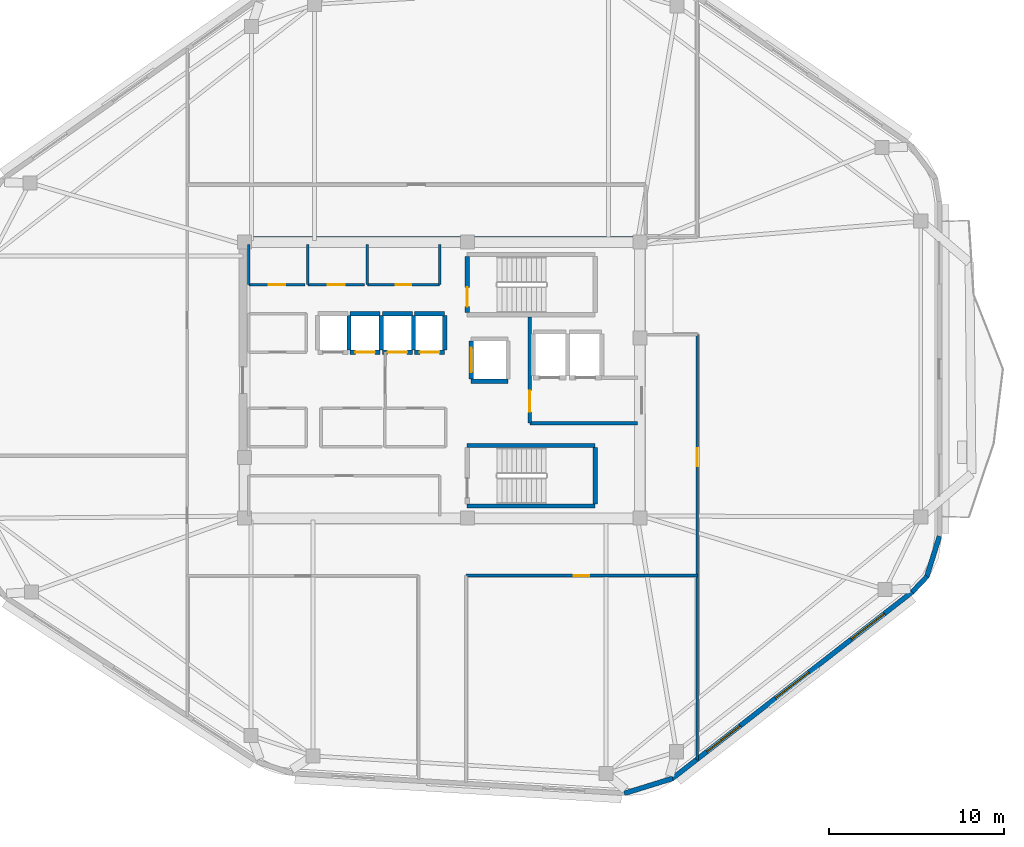
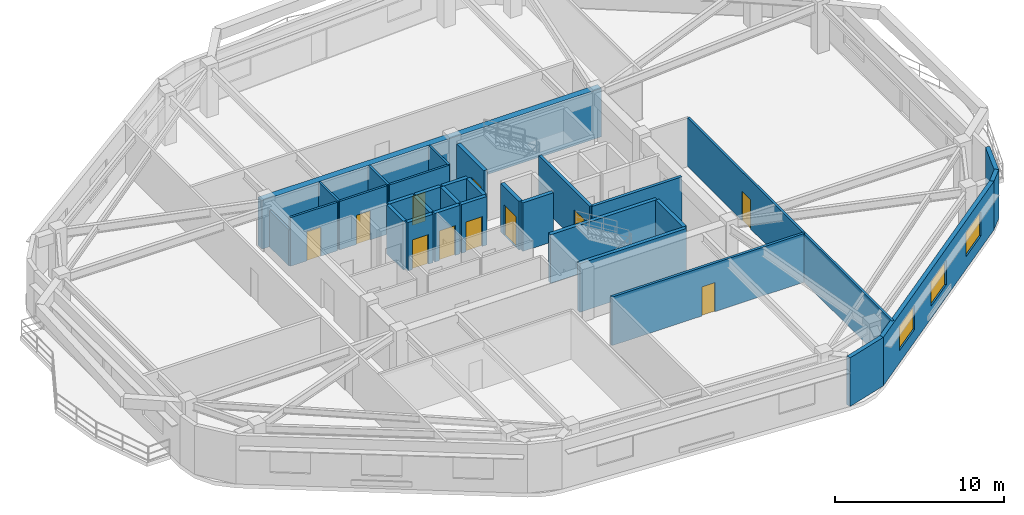
# One storey, part 4 of 9: 32 walls, 11 doors, 3 windows, 14 openings.
"""IFC4 building model written with IfcOpenShell, lengths in metres."""

from ifc_helpers import new_model, si_unit, direction, frame, frame_2d, origin, place, context, subcontext, project, spatial, rectangle, extrude, material, layer, layer_set, type_object, element, fill, save


model = new_model("IFC4")

# Units and contexts
model_context = context("Model", 3, precision=1e-05, world=origin(), true_north=direction((0.0, 1.0)))
body_context = subcontext(model_context, "Body", "Model", "MODEL_VIEW")
ifc_project = project(units=[si_unit("LENGTHUNIT", "METRE"), si_unit("AREAUNIT", "SQUARE_METRE"), si_unit("VOLUMEUNIT", "CUBIC_METRE"), si_unit("PLANEANGLEUNIT", "RADIAN"), si_unit("MASSUNIT", "GRAM", prefix="KILO")], contexts=[model_context])

# Site, building, storey
site_placement = place(None, origin())
site = spatial("IfcSite", under=ifc_project, at=site_placement, CompositionType="ELEMENT")
building_placement = place(site_placement, origin())
building = spatial("IfcBuilding", under=site, at=building_placement, Name="Zulverin Broadcast Headquarters", CompositionType="ELEMENT")
storey_placement = place(building_placement, frame((0.0, 0.0, 244.0)))
storey = spatial("IfcBuildingStorey", under=building, at=storey_placement, Name="L62", CompositionType="ELEMENT", Elevation=244.0)

# Wall
ifc_material_1 = material(Name="Concrete C50/60", Category="concrete")
ifc_layer_1 = layer(ifc_material_1, 0.449951171875, Name="Concrete C50/60", Category="concrete")
ifc_layer_set_1 = layer_set([ifc_layer_1], Name="Concrete C50/60")
wall_type_1 = type_object("IfcWallType", Name="WL-CORE-450", PredefinedType="SHEAR", material=ifc_layer_set_1)
wall_1_placement = place(storey_placement, frame((25.39990234375, 33.175048828125, 0.0), z_axis=(0.0, 0.0, 1.0), x_axis=(1.0, 0.0, 0.0)))
element("IfcWall", 1, at=wall_1_placement, inside=storey, type_object=wall_type_1, Name="L62 Core North Shear Wall", PredefinedType="SHEAR", context=body_context, shape_type="SweptSolid", body=[
    extrude(rectangle(XDim=23.2001953125, YDim=0.449951171875, at=frame_2d((11.60009765625, 0.0))), origin(), (0.0, 0.0, 1.0), 3.510009765625),
])

# Wall, openings, windows
ifc_material_2 = material(Name="Insulated pale-metal clad concrete spandrel C40/50", Category="concrete")
ifc_layer_2 = layer(ifc_material_2, 0.280029296875, Name="Insulated pale-metal clad concrete spandrel C40/50", Category="concrete")
ifc_layer_set_2 = layer_set([ifc_layer_2], Name="Insulated pale-metal clad concrete spandrel C40/50")
wall_type_2 = type_object("IfcWallType", Name="WL-EXT-280", PredefinedType="STANDARD", material=ifc_layer_set_2)
wall_2_placement = place(storey_placement, frame((50.10400390625, 2.458984375, 0.0), z_axis=(0.0, 0.0, 1.0), x_axis=(0.789464857485, 0.613795763097, 0.0)))
wall_2 = element("IfcWall", 2, at=wall_2_placement, inside=storey, type_object=wall_type_2, Name="L62 Pale-Metal Clad Spandrel Wall 2", PredefinedType="STANDARD", context=body_context, shape_type="SweptSolid", body=[
    extrude(rectangle(XDim=17.387451171875, YDim=0.280029296875, at=frame_2d((8.69384765625, 0.0))), origin(), (0.0, 0.0, 1.0), 3.510009765625),
])
opening_1_placement = place(wall_2_placement, frame((2.53125, 0.0, 0.89990234375)))
opening_1 = element("IfcOpeningElement", 3, at=opening_1_placement, cuts=wall_2, Name="Opening W-L62-E21", PredefinedType="OPENING", context=body_context, shape_type="SweptSolid", body=[
    extrude(rectangle(XDim=2.39990234375, YDim=1.75, at=frame_2d((1.199951171875, 0.875))), frame((0.0, 0.14990234375, 0.0), z_axis=(0.0, -1.0, 0.0), x_axis=(1.0, 0.0, 0.0)), (0.0, 0.0, 1.0), 0.300048828125),
])
opening_2_placement = place(wall_2_placement, frame((7.49365234375, 0.0, 0.89990234375)))
opening_2 = element("IfcOpeningElement", 4, at=opening_2_placement, cuts=wall_2, Name="Opening W-L62-E22", PredefinedType="OPENING", context=body_context, shape_type="SweptSolid", body=[
    extrude(rectangle(XDim=2.39990234375, YDim=1.75, at=frame_2d((1.199951171875, 0.875))), frame((0.0, 0.14990234375, 0.0), z_axis=(0.0, -1.0, 0.0), x_axis=(1.0, 0.0, 0.0)), (0.0, 0.0, 1.0), 0.300048828125),
])
opening_3_placement = place(wall_2_placement, frame((12.956298828125, 0.0, 0.89990234375)))
opening_3 = element("IfcOpeningElement", 5, at=opening_3_placement, cuts=wall_2, Name="Opening W-L62-E23", PredefinedType="OPENING", context=body_context, shape_type="SweptSolid", body=[
    extrude(rectangle(XDim=2.39990234375, YDim=1.75, at=frame_2d((1.199951171875, 0.875))), frame((0.0, 0.14990234375, 0.0), z_axis=(0.0, -1.0, 0.0), x_axis=(1.0, 0.0, 0.0)), (0.0, 0.0, 1.0), 0.300048828125),
])
ifc_material_3 = material(Name="Pale anodized aluminium frame with solar-control low-E double glazing", Category="aluminium")
window_type = type_object("IfcWindowType", Name="WIN-RIB-2400", PartitioningType="SINGLE_PANEL", PredefinedType="WINDOW", material=ifc_material_3)
window_1_placement = place(opening_1_placement, origin())
window_1 = element("IfcWindow", 6, at=window_1_placement, inside=storey, type_object=window_type, Name="L62 Ribbon Glazing Window 2 1", OverallHeight=1.75, OverallWidth=2.39990234375, PartitioningType="SINGLE_PANEL", PredefinedType="WINDOW", context=body_context, shape_type="SweptSolid", body=[
    extrude(rectangle(XDim=2.39990234375, YDim=1.75, at=frame_2d((1.199951171875, 0.875))), frame((0.0, 0.030029296875, 0.0), z_axis=(0.0, -1.0, 0.0), x_axis=(1.0, 0.0, 0.0)), (0.0, 0.0, 1.0), 0.06005859375),
])
fill(opening_1, window_1)
window_2_placement = place(opening_2_placement, origin())
window_2 = element("IfcWindow", 7, at=window_2_placement, inside=storey, type_object=window_type, Name="L62 Ribbon Glazing Window 2 2", OverallHeight=1.75, OverallWidth=2.39990234375, PartitioningType="SINGLE_PANEL", PredefinedType="WINDOW", context=body_context, shape_type="SweptSolid", body=[
    extrude(rectangle(XDim=2.39990234375, YDim=1.75, at=frame_2d((1.199951171875, 0.875))), frame((0.0, 0.030029296875, 0.0), z_axis=(0.0, -1.0, 0.0), x_axis=(1.0, 0.0, 0.0)), (0.0, 0.0, 1.0), 0.06005859375),
])
fill(opening_2, window_2)
window_3_placement = place(opening_3_placement, origin())
window_3 = element("IfcWindow", 8, at=window_3_placement, inside=storey, type_object=window_type, Name="L62 Ribbon Glazing Window 2 3", OverallHeight=1.75, OverallWidth=2.39990234375, PartitioningType="SINGLE_PANEL", PredefinedType="WINDOW", context=body_context, shape_type="SweptSolid", body=[
    extrude(rectangle(XDim=2.39990234375, YDim=1.75, at=frame_2d((1.199951171875, 0.875))), frame((0.0, 0.030029296875, 0.0), z_axis=(0.0, -1.0, 0.0), x_axis=(1.0, 0.0, 0.0)), (0.0, 0.0, 1.0), 0.06005859375),
])
fill(opening_3, window_3)

# Walls
wall_3_placement = place(storey_placement, frame((47.38623046875, 1.626220703125, 0.0), z_axis=(0.0, 0.0, 1.0), x_axis=(0.955189316149, 0.29599555793, 0.0)))
element("IfcWall", 9, at=wall_3_placement, inside=storey, type_object=wall_type_2, Name="L62 Wind-Shaped Corner Spandrel Wall 1-1", PredefinedType="STANDARD", context=body_context, shape_type="SweptSolid", body=[
    extrude(rectangle(XDim=2.891845703125, YDim=0.280029296875, at=frame_2d((1.44580078125, 0.0))), origin(), (0.0, 0.0, 1.0), 3.510009765625),
])
wall_4_placement = place(storey_placement, frame((63.81494140625, 13.1171875, 0.0), z_axis=(0.0, 0.0, 1.0), x_axis=(0.687733716128, 0.725963040176, 0.0)))
element("IfcWall", 10, at=wall_4_placement, inside=storey, type_object=wall_type_2, Name="L62 Wind-Shaped Corner Spandrel Wall 2-1", PredefinedType="STANDARD", context=body_context, shape_type="SweptSolid", body=[
    extrude(rectangle(XDim=1.239013671875, YDim=0.280029296875, at=frame_2d((0.61962890625, 0.0))), origin(), (0.0, 0.0, 1.0), 3.510009765625),
])
wall_5_placement = place(storey_placement, frame((64.635009765625, 13.962158203125, 0.0), z_axis=(0.0, 0.0, 1.0), x_axis=(0.298649578722, 0.954362839348, 0.0)))
element("IfcWall", 11, at=wall_5_placement, inside=storey, type_object=wall_type_2, Name="L62 Wind-Shaped Corner Spandrel Wall 2-2", PredefinedType="STANDARD", context=body_context, shape_type="SweptSolid", body=[
    extrude(rectangle(XDim=2.44921875, YDim=0.280029296875, at=frame_2d((1.224609375, 0.0))), origin(), (0.0, 0.0, 1.0), 3.510009765625),
])

# Wall, opening, door
ifc_material_4 = material(Name="Concrete C40/50", Category="concrete")
ifc_layer_3 = layer(ifc_material_4, 0.199951171875, Name="Concrete C40/50", Category="concrete")
ifc_layer_set_3 = layer_set([ifc_layer_3], Name="Concrete C40/50")
wall_type_3 = type_object("IfcWallType", Name="WL-FFL-200", PredefinedType="SOLIDWALL", material=ifc_layer_set_3)
wall_6_placement = place(storey_placement, frame((42.0, 22.75, 0.0), z_axis=(0.0, 0.0, 1.0), x_axis=(0.0, 1.0, 0.0)))
wall_6 = element("IfcWall", 12, at=wall_6_placement, inside=storey, type_object=wall_type_3, Name="L62 Firefighting Lift Lobby West Wall", PredefinedType="SOLIDWALL", context=body_context, shape_type="SweptSolid", body=[
    extrude(rectangle(XDim=6.050048828125, YDim=0.199951171875, at=frame_2d((3.02490234375, 0.0))), origin(), (0.0, 0.0, 1.0), 3.510009765625),
])
opening_4_placement = place(wall_6_placement, frame((0.64990234375, 0.0, 0.0)))
opening_4 = element("IfcOpeningElement", 13, at=opening_4_placement, cuts=wall_6, Name="Opening D-L62-FFLW", PredefinedType="OPENING", context=body_context, shape_type="SweptSolid", body=[
    extrude(rectangle(XDim=1.199951171875, YDim=2.14990234375, at=frame_2d((0.60009765625, 1.074951171875))), frame((0.0, 0.10986328125, 0.0), z_axis=(0.0, -1.0, 0.0), x_axis=(1.0, 0.0, 0.0)), (0.0, 0.0, 1.0), 0.219970703125),
])
ifc_material_5 = material(Name="Fire-rated steel leaf and frame", Category="steel")
door_type_1 = type_object("IfcDoorType", Name="DR-FFL-1200", OperationType="SINGLE_SWING_RIGHT", PredefinedType="DOOR", material=ifc_material_5)
door_1_placement = place(opening_4_placement, origin())
door_1 = element("IfcDoor", 14, at=door_1_placement, inside=storey, type_object=door_type_1, Name="L62 Firefighting Lift Lobby Door", OperationType="SINGLE_SWING_RIGHT", OverallHeight=2.14990234375, OverallWidth=1.199951171875, PredefinedType="DOOR", context=body_context, shape_type="SweptSolid", body=[
    extrude(rectangle(XDim=1.199951171875, YDim=2.14990234375, at=frame_2d((0.60009765625, 1.074951171875))), frame((0.0, 0.02490234375, 0.0), z_axis=(0.0, -1.0, 0.0), x_axis=(1.0, 0.0, 0.0)), (0.0, 0.0, 1.0), 0.050048828125),
])
fill(opening_4, door_1)

# Wall
wall_7_placement = place(storey_placement, frame((42.0, 22.75, 0.0), z_axis=(0.0, 0.0, 1.0), x_axis=(1.0, 0.0, 0.0)))
element("IfcWall", 15, at=wall_7_placement, inside=storey, type_object=wall_type_3, Name="L62 Firefighting Lift Lobby South Wall", PredefinedType="SOLIDWALL", context=body_context, shape_type="SweptSolid", body=[
    extrude(rectangle(XDim=6.14990234375, YDim=0.199951171875, at=frame_2d((3.074951171875, 0.0))), origin(), (0.0, 0.0, 1.0), 3.510009765625),
])

# Wall, opening, door
ifc_material_6 = material(Name="Fire-rated gypsum stud partition", Category="gypsum")
ifc_layer_4 = layer(ifc_material_6, 0.14990234375, Name="Fire-rated gypsum stud partition", Category="gypsum")
ifc_layer_set_4 = layer_set([ifc_layer_4], Name="Fire-rated gypsum stud partition")
wall_type_4 = type_object("IfcWallType", Name="WL-PART-150", PredefinedType="PARTITIONING", material=ifc_layer_set_4)
wall_8_placement = place(storey_placement, frame((25.969970703125, 30.64990234375, 0.0), z_axis=(0.0, 0.0, 1.0), x_axis=(1.0, 0.0, 0.0)))
wall_8 = element("IfcWall", 16, at=wall_8_placement, inside=storey, type_object=wall_type_4, Name="L62 Core Accessible WC Front Wall", PredefinedType="PARTITIONING", context=body_context, shape_type="SweptSolid", body=[
    extrude(rectangle(XDim=3.199951171875, YDim=0.14990234375, at=frame_2d((1.60009765625, 0.0))), origin(), (0.0, 0.0, 1.0), 3.510009765625),
])
opening_5_placement = place(wall_8_placement, frame((1.125, 0.0, 0.0)))
opening_5 = element("IfcOpeningElement", 17, at=opening_5_placement, cuts=wall_8, Name="Opening D-L62-NC1", PredefinedType="OPENING", context=body_context, shape_type="SweptSolid", body=[
    extrude(rectangle(XDim=0.949951171875, YDim=2.10009765625, at=frame_2d((0.47509765625, 1.050048828125))), frame((0.0, 0.0849609375, 0.0), z_axis=(0.0, -1.0, 0.0), x_axis=(1.0, 0.0, 0.0)), (0.0, 0.0, 1.0), 0.169921875),
])
ifc_material_7 = material(Name="Fire-rated moisture-resistant laminate leaf", Category="wood")
door_type_2 = type_object("IfcDoorType", Name="DR-WC-950", OperationType="SINGLE_SWING_LEFT", PredefinedType="DOOR", material=ifc_material_7)
door_2_placement = place(opening_5_placement, origin())
door_2 = element("IfcDoor", 18, at=door_2_placement, inside=storey, type_object=door_type_2, Name="L62 Accessible WC Door", OperationType="SINGLE_SWING_LEFT", OverallHeight=2.10009765625, OverallWidth=0.949951171875, PredefinedType="DOOR", context=body_context, shape_type="SweptSolid", body=[
    extrude(rectangle(XDim=0.949951171875, YDim=2.10009765625, at=frame_2d((0.47509765625, 1.050048828125))), frame((0.0, 0.02490234375, 0.0), z_axis=(0.0, -1.0, 0.0), x_axis=(1.0, 0.0, 0.0)), (0.0, 0.0, 1.0), 0.050048828125),
])
fill(opening_5, door_2)

# Wall
wall_9_placement = place(storey_placement, frame((25.969970703125, 30.64990234375, 0.0), z_axis=(0.0, 0.0, 1.0), x_axis=(0.0, 1.0, 0.0)))
element("IfcWall", 19, at=wall_9_placement, inside=storey, type_object=wall_type_4, Name="L62 Core Accessible WC West Wall", PredefinedType="PARTITIONING", context=body_context, shape_type="SweptSolid", body=[
    extrude(rectangle(XDim=2.300048828125, YDim=0.14990234375, at=frame_2d((1.14990234375, 0.0))), origin(), (0.0, 0.0, 1.0), 2.610107421875),
])

# Wall, opening, door
wall_10_placement = place(storey_placement, frame((29.330078125, 30.64990234375, 0.0), z_axis=(0.0, 0.0, 1.0), x_axis=(1.0, 0.0, 0.0)))
wall_10 = element("IfcWall", 20, at=wall_10_placement, inside=storey, type_object=wall_type_4, Name="L62 Core Male WC Front Wall", PredefinedType="PARTITIONING", context=body_context, shape_type="SweptSolid", body=[
    extrude(rectangle(XDim=3.239990234375, YDim=0.14990234375, at=frame_2d((1.6201171875, 0.0))), origin(), (0.0, 0.0, 1.0), 3.510009765625),
])
opening_6_placement = place(wall_10_placement, frame((1.14501953125, 0.0, 0.0)))
opening_6 = element("IfcOpeningElement", 21, at=opening_6_placement, cuts=wall_10, Name="Opening D-L62-NC2", PredefinedType="OPENING", context=body_context, shape_type="SweptSolid", body=[
    extrude(rectangle(XDim=0.949951171875, YDim=2.10009765625, at=frame_2d((0.47509765625, 1.050048828125))), frame((0.0, 0.0849609375, 0.0), z_axis=(0.0, -1.0, 0.0), x_axis=(1.0, 0.0, 0.0)), (0.0, 0.0, 1.0), 0.169921875),
])
door_3_placement = place(opening_6_placement, origin())
door_3 = element("IfcDoor", 22, at=door_3_placement, inside=storey, type_object=door_type_2, Name="L62 Male WC Door", OperationType="SINGLE_SWING_RIGHT", OverallHeight=2.10009765625, OverallWidth=0.949951171875, PredefinedType="DOOR", context=body_context, shape_type="SweptSolid", body=[
    extrude(rectangle(XDim=0.949951171875, YDim=2.10009765625, at=frame_2d((0.47509765625, 1.050048828125))), frame((0.0, 0.02490234375, 0.0), z_axis=(0.0, -1.0, 0.0), x_axis=(1.0, 0.0, 0.0)), (0.0, 0.0, 1.0), 0.050048828125),
])
fill(opening_6, door_3)

# Wall
wall_11_placement = place(storey_placement, frame((29.330078125, 30.64990234375, 0.0), z_axis=(0.0, 0.0, 1.0), x_axis=(0.0, 1.0, 0.0)))
element("IfcWall", 23, at=wall_11_placement, inside=storey, type_object=wall_type_4, Name="L62 Core Male WC West Wall", PredefinedType="PARTITIONING", context=body_context, shape_type="SweptSolid", body=[
    extrude(rectangle(XDim=2.300048828125, YDim=0.14990234375, at=frame_2d((1.14990234375, 0.0))), origin(), (0.0, 0.0, 1.0), 3.510009765625),
])

# Wall, opening, door
wall_12_placement = place(storey_placement, frame((32.72998046875, 30.64990234375, 0.0), z_axis=(0.0, 0.0, 1.0), x_axis=(1.0, 0.0, 0.0)))
wall_12 = element("IfcWall", 24, at=wall_12_placement, inside=storey, type_object=wall_type_4, Name="L62 Core Electrical Switch Riser Front Wall", PredefinedType="PARTITIONING", context=body_context, shape_type="SweptSolid", body=[
    extrude(rectangle(XDim=4.1201171875, YDim=0.14990234375, at=frame_2d((2.06005859375, 0.0))), origin(), (0.0, 0.0, 1.0), 3.510009765625),
])
opening_7_placement = place(wall_12_placement, frame((1.610107421875, 0.0, 0.0)))
opening_7 = element("IfcOpeningElement", 25, at=opening_7_placement, cuts=wall_12, Name="Opening D-L62-NC3", PredefinedType="OPENING", context=body_context, shape_type="SweptSolid", body=[
    extrude(rectangle(XDim=0.89990234375, YDim=2.10009765625, at=frame_2d((0.449951171875, 1.050048828125))), frame((0.0, 0.0849609375, 0.0), z_axis=(0.0, -1.0, 0.0), x_axis=(1.0, 0.0, 0.0)), (0.0, 0.0, 1.0), 0.169921875),
])
ifc_material_8 = material(Name="Powder-coated steel access leaf", Category="steel")
door_type_3 = type_object("IfcDoorType", Name="DR-RISER-900", OperationType="SINGLE_SWING_LEFT", PredefinedType="DOOR", material=ifc_material_8)
door_4_placement = place(opening_7_placement, origin())
door_4 = element("IfcDoor", 26, at=door_4_placement, inside=storey, type_object=door_type_3, Name="L62 Electrical Switch Riser Door", OperationType="SINGLE_SWING_LEFT", OverallHeight=2.10009765625, OverallWidth=0.89990234375, PredefinedType="DOOR", context=body_context, shape_type="SweptSolid", body=[
    extrude(rectangle(XDim=0.89990234375, YDim=2.10009765625, at=frame_2d((0.449951171875, 1.050048828125))), frame((0.0, 0.02490234375, 0.0), z_axis=(0.0, -1.0, 0.0), x_axis=(1.0, 0.0, 0.0)), (0.0, 0.0, 1.0), 0.050048828125),
])
fill(opening_7, door_4)

# Walls
for number, where, z_axis, x_axis, name in (
    (27, (32.72998046875, 30.64990234375, 0.0), (0.0, 0.0, 1.0), (0.0, 1.0, 0.0), "L62 Core Electrical Switch Riser West Wall"),
    (28, (36.85009765625, 30.64990234375, 0.0), (0.0, 0.0, 1.0), (0.0, 1.0, 0.0), "L62 Core Electrical Switch Riser East Wall"),
):
    element("IfcWall", number, at=place(storey_placement, frame(where, z_axis=z_axis, x_axis=x_axis)), inside=storey, type_object=wall_type_4, Name=name, PredefinedType="PARTITIONING", context=body_context, shape_type="SweptSolid", body=[
        extrude(rectangle(XDim=2.300048828125, YDim=0.14990234375, at=frame_2d((1.14990234375, 0.0))), origin(), (0.0, 0.0, 1.0), 3.510009765625),
    ])

# Wall, opening, door
wall_13_placement = place(storey_placement, frame((51.550048828125, 3.5458984375, 0.0), z_axis=(0.0, 0.0, 1.0), x_axis=(0.0, 1.0, 0.0)))
wall_13 = element("IfcWall", 29, at=wall_13_placement, inside=storey, type_object=wall_type_4, Name="L62 Gallery Partition Wall CG-01", PredefinedType="PARTITIONING", context=body_context, shape_type="SweptSolid", body=[
    extrude(rectangle(XDim=24.254150390625, YDim=0.14990234375, at=frame_2d((12.126953125, 0.0))), origin(), (0.0, 0.0, 1.0), 3.510009765625),
])
opening_8_placement = place(wall_13_placement, frame((16.759033203125, 0.0, 0.0)))
opening_8 = element("IfcOpeningElement", 30, at=opening_8_placement, cuts=wall_13, Name="Opening D-L62-06", PredefinedType="OPENING", context=body_context, shape_type="SweptSolid", body=[
    extrude(rectangle(XDim=1.0, YDim=2.1201171875, at=frame_2d((0.5, 1.06005859375))), frame((0.0, 0.0849609375, 0.0), z_axis=(0.0, -1.0, 0.0), x_axis=(1.0, 0.0, 0.0)), (0.0, 0.0, 1.0), 0.169921875),
])
ifc_material_9 = material(Name="Hardwood veneer acoustic leaf", Category="wood")
door_type_4 = type_object("IfcDoorType", Name="DR-OFF-1000", OperationType="SINGLE_SWING_LEFT", PredefinedType="DOOR", material=ifc_material_9)
door_5_placement = place(opening_8_placement, origin())
door_5 = element("IfcDoor", 31, at=door_5_placement, inside=storey, type_object=door_type_4, Name="L62 Global Broadcast Command Workplace Door", OperationType="SINGLE_SWING_LEFT", OverallHeight=2.1201171875, OverallWidth=1.0, PredefinedType="DOOR", context=body_context, shape_type="SweptSolid", body=[
    extrude(rectangle(XDim=1.0, YDim=2.1201171875, at=frame_2d((0.5, 1.06005859375))), frame((0.0, 0.02490234375, 0.0), z_axis=(0.0, -1.0, 0.0), x_axis=(1.0, 0.0, 0.0)), (0.0, 0.0, 1.0), 0.050048828125),
])
fill(opening_8, door_5)

ifc_material_10 = material(Name="Fire-rated acoustic stud wall", Category="gypsum")
ifc_layer_5 = layer(ifc_material_10, 0.175048828125, Name="Fire-rated acoustic stud wall", Category="gypsum")
ifc_layer_set_5 = layer_set([ifc_layer_5], Name="Fire-rated acoustic stud wall")
wall_type_5 = type_object("IfcWallType", Name="WL-PART-175", PredefinedType="PARTITIONING", material=ifc_layer_set_5)
wall_14_placement = place(storey_placement, frame((38.35009765625, 14.050048828125, 0.0), z_axis=(0.0, 0.0, 1.0), x_axis=(1.0, 0.0, 0.0)))
wall_14 = element("IfcWall", 32, at=wall_14_placement, inside=storey, type_object=wall_type_5, Name="L62 Gallery Partition Wall CG-08", PredefinedType="PARTITIONING", context=body_context, shape_type="SweptSolid", body=[
    extrude(rectangle(XDim=13.199951171875, YDim=0.175048828125, at=frame_2d((6.60009765625, 0.0))), origin(), (0.0, 0.0, 1.0), 3.510009765625),
])
opening_9_placement = place(wall_14_placement, frame((6.14990234375, 0.0, 0.0)))
opening_9 = element("IfcOpeningElement", 33, at=opening_9_placement, cuts=wall_14, Name="Opening D-L62-03", PredefinedType="OPENING", context=body_context, shape_type="SweptSolid", body=[
    extrude(rectangle(XDim=0.89990234375, YDim=2.10009765625, at=frame_2d((0.449951171875, 1.050048828125))), frame((0.0, 0.097412109375, 0.0), z_axis=(0.0, -1.0, 0.0), x_axis=(1.0, 0.0, 0.0)), (0.0, 0.0, 1.0), 0.195068359375),
])
ifc_material_11 = material(Name="Fire-rated hardwood veneer timber leaf", Category="wood")
door_type_5 = type_object("IfcDoorType", Name="DR-ROOM-900", OperationType="SINGLE_SWING_RIGHT", PredefinedType="DOOR", material=ifc_material_11)
door_6_placement = place(opening_9_placement, origin())
door_6 = element("IfcDoor", 34, at=door_6_placement, inside=storey, type_object=door_type_5, Name="L62 Diplomatic Conference Room Door", OperationType="SINGLE_SWING_RIGHT", OverallHeight=2.10009765625, OverallWidth=0.89990234375, PredefinedType="DOOR", context=body_context, shape_type="SweptSolid", body=[
    extrude(rectangle(XDim=0.89990234375, YDim=2.10009765625, at=frame_2d((0.449951171875, 1.050048828125))), frame((0.0, 0.02490234375, 0.0), z_axis=(0.0, -1.0, 0.0), x_axis=(1.0, 0.0, 0.0)), (0.0, 0.0, 1.0), 0.050048828125),
])
fill(opening_9, door_6)

ifc_layer_6 = layer(ifc_material_1, 0.25, Name="Concrete C50/60", Category="concrete")
ifc_layer_set_6 = layer_set([ifc_layer_6], Name="Concrete C50/60")
wall_type_6 = type_object("IfcWallType", Name="WL-SHAFT-250", PredefinedType="SHEAR", material=ifc_layer_set_6)
wall_15_placement = place(storey_placement, frame((38.425048828125, 29.050048828125, 0.0), z_axis=(0.0, 0.0, 1.0), x_axis=(0.0, 1.0, 0.0)))
wall_15 = element("IfcWall", 35, at=wall_15_placement, inside=storey, type_object=wall_type_6, Name="L62 ST-1 Enclosure Wall W", PredefinedType="SHEAR", context=body_context, shape_type="SweptSolid", body=[
    extrude(rectangle(XDim=3.199951171875, YDim=0.25, at=frame_2d((1.60009765625, 0.0))), origin(), (0.0, 0.0, 1.0), 3.510009765625),
])
opening_10_placement = place(wall_15_placement, frame((0.35009765625, 0.0, 0.0)))
opening_10 = element("IfcOpeningElement", 36, at=opening_10_placement, cuts=wall_15, Name="Opening D-L62-ST-1", PredefinedType="OPENING", context=body_context, shape_type="SweptSolid", body=[
    extrude(rectangle(XDim=1.10009765625, YDim=2.14990234375, at=frame_2d((0.550048828125, 1.074951171875))), frame((0.0, 0.135009765625, 0.0), z_axis=(0.0, -1.0, 0.0), x_axis=(1.0, 0.0, 0.0)), (0.0, 0.0, 1.0), 0.27001953125),
])
door_type_6 = type_object("IfcDoorType", Name="DR-STAIR-1100", OperationType="SINGLE_SWING_LEFT", PredefinedType="DOOR", material=ifc_material_5)
door_7_placement = place(opening_10_placement, origin())
door_7 = element("IfcDoor", 37, at=door_7_placement, inside=storey, type_object=door_type_6, Name="L62 Exit Stair ST-1 Fire Door", OperationType="SINGLE_SWING_LEFT", OverallHeight=2.14990234375, OverallWidth=1.10009765625, PredefinedType="DOOR", context=body_context, shape_type="SweptSolid", body=[
    extrude(rectangle(XDim=1.10009765625, YDim=2.14990234375, at=frame_2d((0.550048828125, 1.074951171875))), frame((0.0, 0.02490234375, 0.0), z_axis=(0.0, -1.0, 0.0), x_axis=(1.0, 0.0, 0.0)), (0.0, 0.0, 1.0), 0.050048828125),
])
fill(opening_10, door_7)

# Walls
for number, where, z_axis, x_axis, name in (
    (38, (38.425048828125, 18.02490234375, 0.0), (0.0, 0.0, 1.0), (1.0, 0.0, 0.0), "L62 ST-2 Enclosure Wall S"),
    (39, (38.425048828125, 21.47509765625, 0.0), (0.0, 0.0, 1.0), (1.0, 0.0, 0.0), "L62 ST-2 Enclosure Wall N"),
):
    element("IfcWall", number, at=place(storey_placement, frame(where, z_axis=z_axis, x_axis=x_axis)), inside=storey, type_object=wall_type_6, Name=name, PredefinedType="SHEAR", context=body_context, shape_type="SweptSolid", body=[
        extrude(rectangle(XDim=7.300048828125, YDim=0.25, at=frame_2d((3.64990234375, 0.0))), origin(), (0.0, 0.0, 1.0), 3.510009765625),
    ])
wall_16_placement = place(storey_placement, frame((45.72509765625, 18.14990234375, 0.0), z_axis=(0.0, 0.0, 1.0), x_axis=(0.0, 1.0, 0.0)))
element("IfcWall", 40, at=wall_16_placement, inside=storey, type_object=wall_type_6, Name="L62 ST-2 Enclosure Wall E", PredefinedType="SHEAR", context=body_context, shape_type="SweptSolid", body=[
    extrude(rectangle(XDim=3.2001953125, YDim=0.25, at=frame_2d((1.60009765625, 0.0))), origin(), (0.0, 0.0, 1.0), 3.510009765625),
])
wall_17_placement = place(storey_placement, frame((31.679931640625, 26.919921875, 0.0), z_axis=(0.0, 0.0, 1.0), x_axis=(0.0, 1.0, 0.0)))
element("IfcWall", 41, at=wall_17_placement, inside=storey, type_object=wall_type_6, Name="L62 Lift PL-H1 Shaft Wall E", PredefinedType="SHEAR", context=body_context, shape_type="SweptSolid", body=[
    extrude(rectangle(XDim=1.9599609375, YDim=0.25, at=frame_2d((0.97998046875, 0.0))), origin(), (0.0, 0.0, 1.0), 3.510009765625),
])

# Wall, opening, door
wall_18_placement = place(storey_placement, frame((31.739990234375, 26.800048828125, 0.0), z_axis=(0.0, 0.0, 1.0), x_axis=(1.0, 0.0, 0.0)))
wall_18 = element("IfcWall", 42, at=wall_18_placement, inside=storey, type_object=wall_type_6, Name="L62 Lift PL-H2 Shaft Wall S", PredefinedType="SHEAR", context=body_context, shape_type="SweptSolid", body=[
    extrude(rectangle(XDim=1.719970703125, YDim=0.25, at=frame_2d((0.85986328125, 0.0))), origin(), (0.0, 0.0, 1.0), 3.510009765625),
])
opening_11_placement = place(wall_18_placement, frame((0.31005859375, 0.0, 0.0)))
opening_11 = element("IfcOpeningElement", 43, at=opening_11_placement, cuts=wall_18, Name="Opening LD-PL-H2-L62", PredefinedType="OPENING", context=body_context, shape_type="SweptSolid", body=[
    extrude(rectangle(XDim=1.10009765625, YDim=2.14990234375, at=frame_2d((0.550048828125, 1.074951171875))), frame((0.0, 0.135009765625, 0.0), z_axis=(0.0, -1.0, 0.0), x_axis=(1.0, 0.0, 0.0)), (0.0, 0.0, 1.0), 0.27001953125),
])
ifc_material_12 = material(Name="Brushed stainless steel landing", Category="steel")
door_type_7 = type_object("IfcDoorType", Name="LD-PASS-1100", OperationType="DOUBLE_DOOR_SLIDING", PredefinedType="DOOR", material=ifc_material_12)
door_8_placement = place(opening_11_placement, origin())
door_8 = element("IfcDoor", 44, at=door_8_placement, inside=storey, type_object=door_type_7, Name="L62 Lift PL-H2 Sliding Landing Door", OperationType="DOUBLE_DOOR_SLIDING", OverallHeight=2.14990234375, OverallWidth=1.10009765625, PredefinedType="DOOR", context=body_context, shape_type="SweptSolid", body=[
    extrude(rectangle(XDim=1.10009765625, YDim=2.14990234375, at=frame_2d((0.550048828125, 1.074951171875))), frame((0.0, 0.02490234375, 0.0), z_axis=(0.0, -1.0, 0.0), x_axis=(1.0, 0.0, 0.0)), (0.0, 0.0, 1.0), 0.050048828125),
])
fill(opening_11, door_8)

# Walls
wall_19_placement = place(storey_placement, frame((31.739990234375, 29.0, 0.0), z_axis=(0.0, 0.0, 1.0), x_axis=(1.0, 0.0, 0.0)))
element("IfcWall", 45, at=wall_19_placement, inside=storey, type_object=wall_type_6, Name="L62 Lift PL-H2 Shaft Wall N", PredefinedType="SHEAR", context=body_context, shape_type="SweptSolid", body=[
    extrude(rectangle(XDim=1.719970703125, YDim=0.25, at=frame_2d((0.85986328125, 0.0))), origin(), (0.0, 0.0, 1.0), 3.510009765625),
])
wall_20_placement = place(storey_placement, frame((33.52001953125, 26.919921875, 0.0), z_axis=(0.0, 0.0, 1.0), x_axis=(0.0, 1.0, 0.0)))
element("IfcWall", 46, at=wall_20_placement, inside=storey, type_object=wall_type_6, Name="L62 Lift PL-H2 Shaft Wall E", PredefinedType="SHEAR", context=body_context, shape_type="SweptSolid", body=[
    extrude(rectangle(XDim=1.9599609375, YDim=0.25, at=frame_2d((0.97998046875, 0.0))), origin(), (0.0, 0.0, 1.0), 3.510009765625),
])

# Wall, opening, door
wall_21_placement = place(storey_placement, frame((33.580078125, 26.800048828125, 0.0), z_axis=(0.0, 0.0, 1.0), x_axis=(1.0, 0.0, 0.0)))
wall_21 = element("IfcWall", 47, at=wall_21_placement, inside=storey, type_object=wall_type_6, Name="L62 Lift PL-H3 Shaft Wall S", PredefinedType="SHEAR", context=body_context, shape_type="SweptSolid", body=[
    extrude(rectangle(XDim=1.719970703125, YDim=0.25, at=frame_2d((0.85986328125, 0.0))), origin(), (0.0, 0.0, 1.0), 3.510009765625),
])
opening_12_placement = place(wall_21_placement, frame((0.31005859375, 0.0, 0.0)))
opening_12 = element("IfcOpeningElement", 48, at=opening_12_placement, cuts=wall_21, Name="Opening LD-PL-H3-L62", PredefinedType="OPENING", context=body_context, shape_type="SweptSolid", body=[
    extrude(rectangle(XDim=1.10009765625, YDim=2.14990234375, at=frame_2d((0.550048828125, 1.074951171875))), frame((0.0, 0.135009765625, 0.0), z_axis=(0.0, -1.0, 0.0), x_axis=(1.0, 0.0, 0.0)), (0.0, 0.0, 1.0), 0.27001953125),
])
door_9_placement = place(opening_12_placement, origin())
door_9 = element("IfcDoor", 49, at=door_9_placement, inside=storey, type_object=door_type_7, Name="L62 Lift PL-H3 Sliding Landing Door", OperationType="DOUBLE_DOOR_SLIDING", OverallHeight=2.14990234375, OverallWidth=1.10009765625, PredefinedType="DOOR", context=body_context, shape_type="SweptSolid", body=[
    extrude(rectangle(XDim=1.10009765625, YDim=2.14990234375, at=frame_2d((0.550048828125, 1.074951171875))), frame((0.0, 0.02490234375, 0.0), z_axis=(0.0, -1.0, 0.0), x_axis=(1.0, 0.0, 0.0)), (0.0, 0.0, 1.0), 0.050048828125),
])
fill(opening_12, door_9)

# Walls
wall_22_placement = place(storey_placement, frame((33.580078125, 29.0, 0.0), z_axis=(0.0, 0.0, 1.0), x_axis=(1.0, 0.0, 0.0)))
element("IfcWall", 50, at=wall_22_placement, inside=storey, type_object=wall_type_6, Name="L62 Lift PL-H3 Shaft Wall N", PredefinedType="SHEAR", context=body_context, shape_type="SweptSolid", body=[
    extrude(rectangle(XDim=1.719970703125, YDim=0.25, at=frame_2d((0.85986328125, 0.0))), origin(), (0.0, 0.0, 1.0), 3.510009765625),
])
wall_23_placement = place(storey_placement, frame((35.360107421875, 26.919921875, 0.0), z_axis=(0.0, 0.0, 1.0), x_axis=(0.0, 1.0, 0.0)))
element("IfcWall", 51, at=wall_23_placement, inside=storey, type_object=wall_type_6, Name="L62 Lift PL-H3 Shaft Wall E", PredefinedType="SHEAR", context=body_context, shape_type="SweptSolid", body=[
    extrude(rectangle(XDim=1.9599609375, YDim=0.25, at=frame_2d((0.97998046875, 0.0))), origin(), (0.0, 0.0, 1.0), 3.510009765625),
])

# Wall, opening, door
wall_24_placement = place(storey_placement, frame((35.419921875, 26.800048828125, 0.0), z_axis=(0.0, 0.0, 1.0), x_axis=(1.0, 0.0, 0.0)))
wall_24 = element("IfcWall", 52, at=wall_24_placement, inside=storey, type_object=wall_type_6, Name="L62 Lift PL-H4 Shaft Wall S", PredefinedType="SHEAR", context=body_context, shape_type="SweptSolid", body=[
    extrude(rectangle(XDim=1.719970703125, YDim=0.25, at=frame_2d((0.85986328125, 0.0))), origin(), (0.0, 0.0, 1.0), 3.510009765625),
])
opening_13_placement = place(wall_24_placement, frame((0.31005859375, 0.0, 0.0)))
opening_13 = element("IfcOpeningElement", 53, at=opening_13_placement, cuts=wall_24, Name="Opening LD-PL-H4-L62", PredefinedType="OPENING", context=body_context, shape_type="SweptSolid", body=[
    extrude(rectangle(XDim=1.10009765625, YDim=2.14990234375, at=frame_2d((0.550048828125, 1.074951171875))), frame((0.0, 0.135009765625, 0.0), z_axis=(0.0, -1.0, 0.0), x_axis=(1.0, 0.0, 0.0)), (0.0, 0.0, 1.0), 0.27001953125),
])
door_10_placement = place(opening_13_placement, origin())
door_10 = element("IfcDoor", 54, at=door_10_placement, inside=storey, type_object=door_type_7, Name="L62 Lift PL-H4 Sliding Landing Door", OperationType="DOUBLE_DOOR_SLIDING", OverallHeight=2.14990234375, OverallWidth=1.10009765625, PredefinedType="DOOR", context=body_context, shape_type="SweptSolid", body=[
    extrude(rectangle(XDim=1.10009765625, YDim=2.14990234375, at=frame_2d((0.550048828125, 1.074951171875))), frame((0.0, 0.02490234375, 0.0), z_axis=(0.0, -1.0, 0.0), x_axis=(1.0, 0.0, 0.0)), (0.0, 0.0, 1.0), 0.050048828125),
])
fill(opening_13, door_10)

# Walls
wall_25_placement = place(storey_placement, frame((35.419921875, 29.0, 0.0), z_axis=(0.0, 0.0, 1.0), x_axis=(1.0, 0.0, 0.0)))
element("IfcWall", 55, at=wall_25_placement, inside=storey, type_object=wall_type_6, Name="L62 Lift PL-H4 Shaft Wall N", PredefinedType="SHEAR", context=body_context, shape_type="SweptSolid", body=[
    extrude(rectangle(XDim=1.719970703125, YDim=0.25, at=frame_2d((0.85986328125, 0.0))), origin(), (0.0, 0.0, 1.0), 3.510009765625),
])
wall_26_placement = place(storey_placement, frame((37.139892578125, 26.919921875, 0.0), z_axis=(0.0, 0.0, 1.0), x_axis=(0.0, 1.0, 0.0)))
element("IfcWall", 56, at=wall_26_placement, inside=storey, type_object=wall_type_6, Name="L62 Lift PL-H4 Shaft Wall E", PredefinedType="SHEAR", context=body_context, shape_type="SweptSolid", body=[
    extrude(rectangle(XDim=1.9599609375, YDim=0.25, at=frame_2d((0.97998046875, 0.0))), origin(), (0.0, 0.0, 1.0), 3.510009765625),
])
wall_27_placement = place(storey_placement, frame((38.64990234375, 25.14990234375, 0.0), z_axis=(0.0, 0.0, 1.0), x_axis=(1.0, 0.0, 0.0)))
element("IfcWall", 57, at=wall_27_placement, inside=storey, type_object=wall_type_6, Name="L62 Lift SVL-1 Shaft Wall S", PredefinedType="SHEAR", context=body_context, shape_type="SweptSolid", body=[
    extrude(rectangle(XDim=2.10009765625, YDim=0.25, at=frame_2d((1.050048828125, 0.0))), origin(), (0.0, 0.0, 1.0), 3.510009765625),
])

# Wall, opening, door
wall_28_placement = place(storey_placement, frame((38.64990234375, 25.27001953125, 0.0), z_axis=(0.0, 0.0, 1.0), x_axis=(0.0, 1.0, 0.0)))
wall_28 = element("IfcWall", 58, at=wall_28_placement, inside=storey, type_object=wall_type_6, Name="L62 Lift SVL-1 Shaft Wall W", PredefinedType="SHEAR", context=body_context, shape_type="SweptSolid", body=[
    extrude(rectangle(XDim=2.159912109375, YDim=0.25, at=frame_2d((1.080078125, 0.0))), origin(), (0.0, 0.0, 1.0), 3.510009765625),
])
opening_14_placement = place(wall_28_placement, frame((0.3798828125, 0.0, 0.0)))
opening_14 = element("IfcOpeningElement", 59, at=opening_14_placement, cuts=wall_28, Name="Opening LD-SVL-1-L62", PredefinedType="OPENING", context=body_context, shape_type="SweptSolid", body=[
    extrude(rectangle(XDim=1.39990234375, YDim=2.199951171875, at=frame_2d((0.699951171875, 1.10009765625))), frame((0.0, 0.135009765625, 0.0), z_axis=(0.0, -1.0, 0.0), x_axis=(1.0, 0.0, 0.0)), (0.0, 0.0, 1.0), 0.27001953125),
])
ifc_material_13 = material(Name="Heavy-duty stainless landing door", Category="steel")
door_type_8 = type_object("IfcDoorType", Name="LD-GOODS-1400", OperationType="DOUBLE_DOOR_SLIDING", PredefinedType="DOOR", material=ifc_material_13)
door_11_placement = place(opening_14_placement, origin())
door_11 = element("IfcDoor", 60, at=door_11_placement, inside=storey, type_object=door_type_8, Name="L62 Lift SVL-1 Sliding Landing Door", OperationType="DOUBLE_DOOR_SLIDING", OverallHeight=2.199951171875, OverallWidth=1.39990234375, PredefinedType="DOOR", context=body_context, shape_type="SweptSolid", body=[
    extrude(rectangle(XDim=1.39990234375, YDim=2.199951171875, at=frame_2d((0.699951171875, 1.10009765625))), frame((0.0, 0.02490234375, 0.0), z_axis=(0.0, -1.0, 0.0), x_axis=(1.0, 0.0, 0.0)), (0.0, 0.0, 1.0), 0.050048828125),
])
fill(opening_14, door_11)

save(model, "model.ifc")
